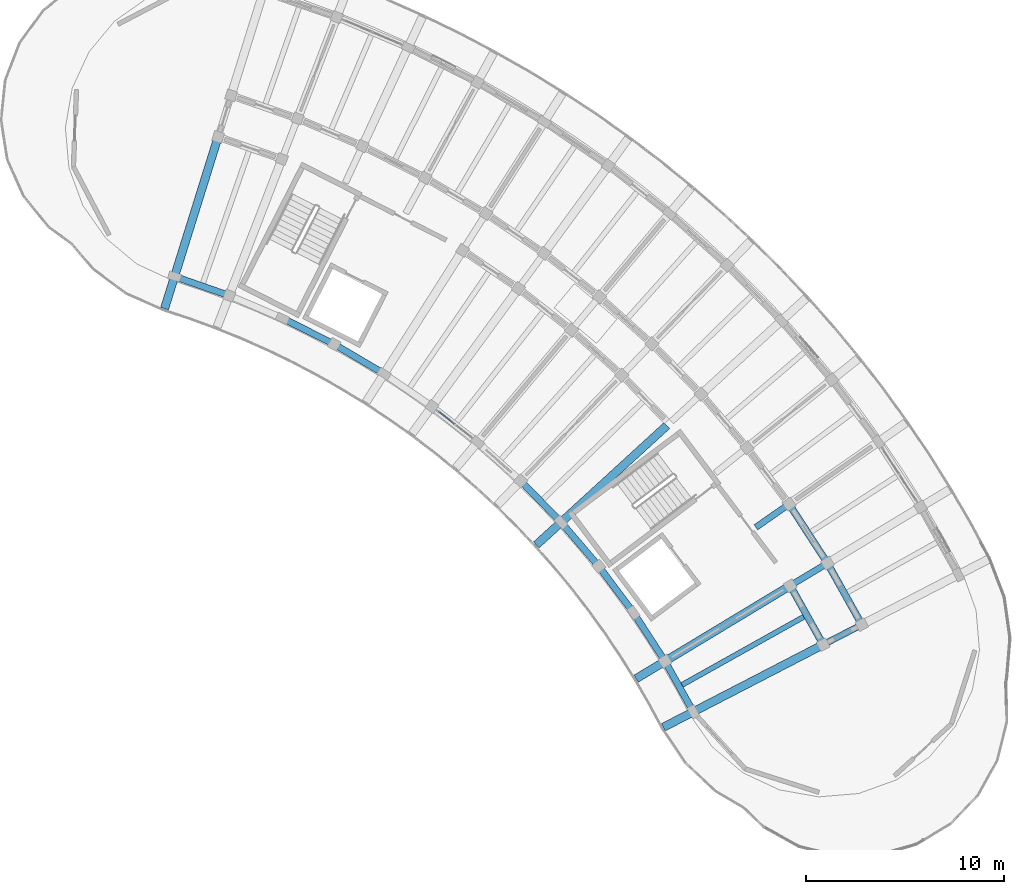
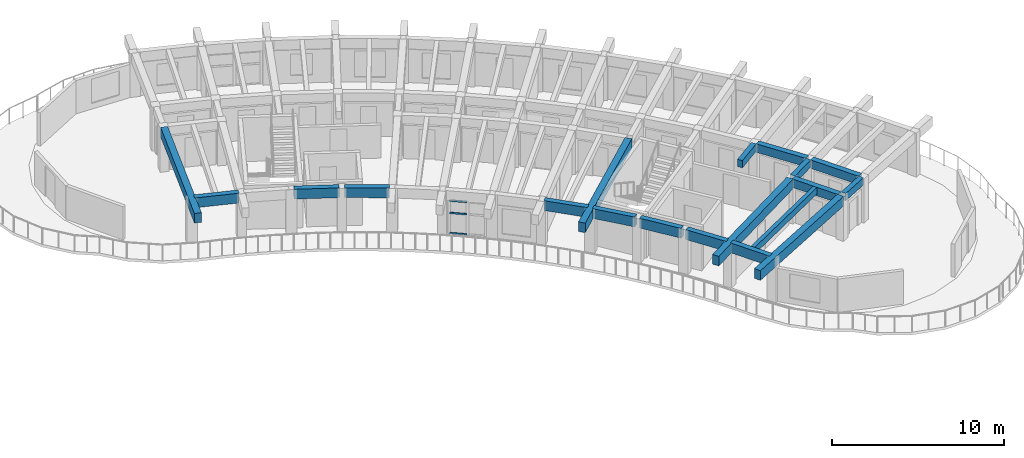
# One storey, part 8 of 36: 19 beams, 3 members, 1 element without a shape of its own.
"""IFC4 building model written with IfcOpenShell, lengths in metres."""

from ifc_helpers import new_model, si_unit, direction, frame, origin, origin_2d, place, context, subcontext, project, spatial, rectangle, hollow_rectangle, extrude, material, material_profile, profile_set, type_object, element, aggregate, save


model = new_model("IFC4")

# Units and contexts
model_context = context("Model", 3, precision=1e-05, world=origin(), true_north=direction((0.0, 1.0)))
body_context = subcontext(model_context, "Body", "Model", "MODEL_VIEW")
ifc_project = project(units=[si_unit("LENGTHUNIT", "METRE"), si_unit("AREAUNIT", "SQUARE_METRE"), si_unit("VOLUMEUNIT", "CUBIC_METRE"), si_unit("PLANEANGLEUNIT", "RADIAN"), si_unit("MASSUNIT", "GRAM", prefix="KILO")], contexts=[model_context])

# Site, building, storey
site_placement = place(None, origin())
site = spatial("IfcSite", under=ifc_project, at=site_placement, CompositionType="ELEMENT")
building_placement = place(site_placement, origin())
building = spatial("IfcBuilding", under=site, at=building_placement, Name="Tanwirah Colonnade Gardens", CompositionType="ELEMENT")
storey_placement = place(building_placement, frame((0.0, 0.0, 39.080078125)))
storey = spatial("IfcBuildingStorey", under=building, at=storey_placement, Name="L11", CompositionType="ELEMENT", Elevation=39.080078125)

# Beams
ifc_material_1 = material(Name="Precast concrete C40/50", Category="concrete")
ifc_material_profile_1 = material_profile(ifc_material_1, rectangle(XDim=0.320068359375, YDim=0.52001953125, at=origin_2d()), Name="PC-BM 320x520")
ifc_profile_set_1 = profile_set([ifc_material_profile_1], Name="Precast concrete C40/50")
beam_type_1 = type_object("IfcBeamType", Name="BM-PC320", PredefinedType="BEAM", material=ifc_profile_set_1)
beam_1_placement = place(storey_placement, frame((167.194091796875, 84.07666015625, 2.85986328125), z_axis=(0.888385730697, 0.459097803844, 0.0), x_axis=(-0.459097803844, 0.888385730697, 0.0)))
element("IfcBeam", 1, at=beam_1_placement, inside=storey, type_object=beam_type_1, Name="Block B L11 Corridor Tie Beam 3", PredefinedType="BEAM", context=body_context, shape_type="SweptSolid", body=[
    extrude(rectangle(XDim=0.320068359375, YDim=0.52001953125, at=origin_2d()), origin(), (0.0, 0.0, 1.0), 1.900146484375),
])
for number, where, z_axis, x_axis, name in (
    (2, (165.520751953125, 87.068359375, 2.85986328125), (0.856174920318, 0.516686080534, 0.0), (-0.516686080534, 0.856174920318, 0.0), "Block B L11 Corridor Tie Beam 4"),
    (3, (163.653564453125, 89.943359375, 2.85986328125), (0.820305001782, 0.571926309983, 0.0), (-0.571926309983, 0.820305001782, 0.0), "Block B L11 Corridor Tie Beam 5"),
):
    element("IfcBeam", number, at=place(storey_placement, frame(where, z_axis=z_axis, x_axis=x_axis)), inside=storey, type_object=beam_type_1, Name=name, PredefinedType="BEAM", context=body_context, shape_type="SweptSolid", body=[
        extrude(rectangle(XDim=0.320068359375, YDim=0.52001953125, at=origin_2d()), origin(), (0.0, 0.0, 1.0), 1.89990234375),
    ])
ifc_material_profile_2 = material_profile(ifc_material_1, rectangle(XDim=0.35009765625, YDim=0.60009765625, at=origin_2d()), Name="PC-BM 350x600")
ifc_profile_set_2 = profile_set([ifc_material_profile_2], Name="Precast concrete C40/50")
beam_type_2 = type_object("IfcBeamType", Name="BM-PC350B", PredefinedType="BEAM", material=ifc_profile_set_2)
beam_2_placement = place(storey_placement, frame((166.98779296875, 84.138671875, 2.81982421875), z_axis=(-0.488200372352, 0.872731571811, 0.0), x_axis=(-0.872731571811, -0.488200372352, 0.0)))
element("IfcBeam", 4, at=beam_2_placement, inside=storey, type_object=beam_type_2, Name="Block B L11 Circumferential Beam 3-R1", PredefinedType="BEAM", context=body_context, shape_type="SweptSolid", body=[
    extrude(rectangle(XDim=0.35009765625, YDim=0.60009765625, at=origin_2d()), origin(), (0.0, 0.0, 1.0), 3.117919921875),
])
for number, where, z_axis, x_axis, name in (
    (5, (168.942138671875, 85.14892578125, 2.81982421875), (-0.488213717102, 0.87272410671, 0.0), (-0.87272410671, -0.488213717102, 0.0), "Block B L11 Circumferential Beam 3-R2"),
    (6, (167.194091796875, 88.25341796875, 2.81982421875), (-0.544627998385, 0.838677735114, 0.0), (-0.838677735114, -0.544627998385, 0.0), "Block B L11 Circumferential Beam 4-R2"),
):
    element("IfcBeam", number, at=place(storey_placement, frame(where, z_axis=z_axis, x_axis=x_axis)), inside=storey, type_object=beam_type_2, Name=name, PredefinedType="BEAM", context=body_context, shape_type="SweptSolid", body=[
        extrude(rectangle(XDim=0.35009765625, YDim=0.60009765625, at=origin_2d()), origin(), (0.0, 0.0, 1.0), 3.262939453125),
    ])
ifc_material_2 = material(Name="Precast concrete C45/55", Category="concrete")
ifc_material_profile_3 = material_profile(ifc_material_2, rectangle(XDim=0.419921875, YDim=0.679931640625, at=origin_2d()), Name="PC-BM 420x680")
ifc_profile_set_3 = profile_set([ifc_material_profile_3], Name="Precast concrete C45/55")
beam_type_3 = type_object("IfcBeamType", Name="BM-PC420", PredefinedType="BEAM", material=ifc_profile_set_3)
beam_3_placement = place(storey_placement, frame((166.927734375, 83.93896484375, 2.780029296875), z_axis=(-0.888345427876, -0.459175784175, 0.0), x_axis=(0.459175784175, -0.888345427876, 0.0)))
element("IfcBeam", 7, at=beam_3_placement, inside=storey, type_object=beam_type_3, Name="Block B L11 Inner Radial Precast Girder 3", PredefinedType="BEAM", context=body_context, shape_type="SweptSolid", body=[
    extrude(rectangle(XDim=0.419921875, YDim=0.679931640625, at=origin_2d()), origin(), (0.0, 0.0, 1.0), 8.949951171875),
])
beam_4_placement = place(storey_placement, frame((165.263916015625, 86.913330078125, 2.780029296875), z_axis=(-0.856168728297, -0.516696340887, 0.0), x_axis=(0.516696340887, -0.856168728297, 0.0)))
element("IfcBeam", 8, at=beam_4_placement, inside=storey, type_object=beam_type_3, Name="Block B L11 Inner Radial Precast Girder 4", PredefinedType="BEAM", context=body_context, shape_type="SweptSolid", body=[
    extrude(rectangle(XDim=0.419921875, YDim=0.679931640625, at=origin_2d()), origin(), (0.0, 0.0, 1.0), 8.9501953125),
])
beam_5_placement = place(storey_placement, frame((159.151123046875, 95.091064453125, 2.780029296875), z_axis=(-0.737937205818, -0.674869380154, 0.0), x_axis=(0.674869380154, -0.737937205818, 0.0)))
element("IfcBeam", 9, at=beam_5_placement, inside=storey, type_object=beam_type_3, Name="Block B L11 Inner Radial Precast Girder 7", PredefinedType="BEAM", context=body_context, shape_type="SweptSolid", body=[
    extrude(rectangle(XDim=0.419921875, YDim=0.679931640625, at=origin_2d()), origin(), (0.0, 0.0, 1.0), 8.949951171875),
])
beam_6_placement = place(storey_placement, frame((136.403076171875, 109.55224609375, 2.780029296875), z_axis=(-0.29792861283, -0.9545881529, 0.0), x_axis=(0.9545881529, -0.29792861283, 0.0)))
element("IfcBeam", 10, at=beam_6_placement, inside=storey, type_object=beam_type_3, Name="Block B L11 Inner Radial Precast Girder 15", PredefinedType="BEAM", context=body_context, shape_type="SweptSolid", body=[
    extrude(rectangle(XDim=0.419921875, YDim=0.679931640625, at=origin_2d()), origin(), (0.0, 0.0, 1.0), 8.9501953125),
])

# Curtain wall, members
ifc_material_3 = material(Name="Bronze-anodised aluminium and solar-control low-E glass", Category="aluminium")
curtain_wall_type = type_object("IfcCurtainWallType", Name="CW-GDN", PredefinedType="NOTDEFINED", material=ifc_material_3)
curtain_wall_placement = place(storey_placement, origin())
curtain_wall = element("IfcCurtainWall", 11, at=curtain_wall_placement, inside=storey, type_object=curtain_wall_type, Name="Curtain Wall CW-B-L11-IN-09", PredefinedType="NOTDEFINED")
ifc_material_4 = material(Name="Bronze-anodised aluminium", Category="aluminium")
ifc_material_profile_4 = material_profile(ifc_material_4, hollow_rectangle(XDim=0.06005859375, YDim=0.1201171875, WallThickness=0.00390625, at=origin_2d()), Name="CW-TRN 60x120x4")
ifc_profile_set_4 = profile_set([ifc_material_profile_4], Name="Bronze-anodised aluminium")
member_type = type_object("IfcMemberType", Name="CWT-60x120", PredefinedType="USERDEFINED", material=ifc_profile_set_4)
member_1_placement = place(storey_placement, frame((148.3955078125, 95.17333984375, 0.030029296875), z_axis=(-0.786768698357, 0.617247936639, 0.0), x_axis=(-0.617247936639, -0.786768698357, 0.0)))
member_1 = element("IfcMember", 12, at=member_1_placement, type_object=member_type, Name="CW-GDN transom 2.1", ObjectType="TRANSOM", PredefinedType="USERDEFINED", context=body_context, shape_type="SweptSolid", body=[
    extrude(hollow_rectangle(XDim=0.06005859375, YDim=0.1201171875, WallThickness=0.00390625, at=origin_2d()), origin(), (0.0, 0.0, 1.0), 1.015380859375),
])
member_2_placement = place(storey_placement, frame((148.3955078125, 95.17333984375, 1.4599609375), z_axis=(-0.786768698357, 0.617247936639, 0.0), x_axis=(-0.617247936639, -0.786768698357, 0.0)))
member_2 = element("IfcMember", 13, at=member_2_placement, type_object=member_type, Name="CW-GDN transom 2.2", ObjectType="TRANSOM", PredefinedType="USERDEFINED", context=body_context, shape_type="SweptSolid", body=[
    extrude(hollow_rectangle(XDim=0.06005859375, YDim=0.1201171875, WallThickness=0.00390625, at=origin_2d()), origin(), (0.0, 0.0, 1.0), 1.015380859375),
])
member_3_placement = place(storey_placement, frame((148.3955078125, 95.17333984375, 2.324951171875), z_axis=(-0.786768698357, 0.617247936639, 0.0), x_axis=(-0.617247936639, -0.786768698357, 0.0)))
member_3 = element("IfcMember", 14, at=member_3_placement, type_object=member_type, Name="CW-GDN transom 2.3", ObjectType="TRANSOM", PredefinedType="USERDEFINED", context=body_context, shape_type="SweptSolid", body=[
    extrude(hollow_rectangle(XDim=0.06005859375, YDim=0.1201171875, WallThickness=0.00390625, at=origin_2d()), origin(), (0.0, 0.0, 1.0), 1.015380859375),
])
aggregate(curtain_wall, [member_1, member_2, member_3])

# Beams
ifc_material_profile_5 = material_profile(ifc_material_1, rectangle(XDim=0.260009765625, YDim=0.4599609375, at=origin_2d()), Name="PC-JST 260x460")
ifc_profile_set_5 = profile_set([ifc_material_profile_5], Name="Precast concrete C40/50")
beam_type_4 = type_object("IfcBeamType", Name="JST-PC260", PredefinedType="JOIST", material=ifc_profile_set_5)
beam_7_placement = place(storey_placement, frame((159.897705078125, 81.958984375, 2.889892578125), z_axis=(0.872726875563, 0.488208767506, 0.0), x_axis=(-0.488208767506, 0.872726875563, 0.0)))
element("IfcBeam", 15, at=beam_7_placement, inside=storey, type_object=beam_type_4, Name="Block B L11 Inner Precast Floor Joist 3", PredefinedType="JOIST", context=body_context, shape_type="SweptSolid", body=[
    extrude(rectangle(XDim=0.260009765625, YDim=0.4599609375, at=origin_2d()), origin(), (0.0, 0.0, 1.0), 7.16015625),
])
ifc_material_profile_6 = material_profile(ifc_material_1, rectangle(XDim=0.3349609375, YDim=0.695068359375, at=origin_2d()), Name="PC-SP 335x695")
ifc_profile_set_6 = profile_set([ifc_material_profile_6], Name="Precast concrete C40/50")
beam_type_5 = type_object("IfcBeamType", Name="SP-PC300", PredefinedType="SPANDREL", material=ifc_profile_set_6)
beam_8_placement = place(storey_placement, frame((160.413818359375, 80.740966796875, 2.7724609375), z_axis=(-0.488170837957, 0.872748092503, 0.0), x_axis=(-0.872748092503, -0.488170837957, 0.0)))
element("IfcBeam", 16, at=beam_8_placement, inside=storey, type_object=beam_type_5, Name="Block B L11 Circumferential Beam 3-R0", PredefinedType="SPANDREL", context=body_context, shape_type="SweptSolid", body=[
    extrude(rectangle(XDim=0.3349609375, YDim=0.695068359375, at=origin_2d()), origin(), (0.0, 0.0, 1.0), 2.630126953125),
])
for number, where, z_axis, x_axis, name in (
    (17, (158.974853515625, 83.29296875, 2.7724609375), (-0.544570677829, 0.838714955661, 0.0), (-0.838714955661, -0.544570677829, 0.0), "Block B L11 Circumferential Beam 4-R0"),
    (18, (157.370849609375, 85.744873046875, 2.7724609375), (-0.598662613551, 0.80100129534, 0.0), (-0.80100129534, -0.598662613551, 0.0), "Block B L11 Circumferential Beam 5-R0"),
):
    element("IfcBeam", number, at=place(storey_placement, frame(where, z_axis=z_axis, x_axis=x_axis)), inside=storey, type_object=beam_type_5, Name=name, PredefinedType="SPANDREL", context=body_context, shape_type="SweptSolid", body=[
        extrude(rectangle(XDim=0.3349609375, YDim=0.695068359375, at=origin_2d()), origin(), (0.0, 0.0, 1.0), 2.63037109375),
    ])
for number, where, z_axis, x_axis, name in (
    (19, (155.60888671875, 88.0859375, 2.7724609375), (-0.650217875778, 0.759747796323, 0.0), (-0.759747796323, -0.650217875778, 0.0), "Block B L11 Circumferential Beam 6-R0"),
    (20, (153.6962890625, 90.305419921875, 2.7724609375), (-0.698844462704, 0.715273665772, 0.0), (-0.715273665772, -0.698844462704, 0.0), "Block B L11 Circumferential Beam 7-R0"),
):
    element("IfcBeam", number, at=place(storey_placement, frame(where, z_axis=z_axis, x_axis=x_axis)), inside=storey, type_object=beam_type_5, Name=name, PredefinedType="SPANDREL", context=body_context, shape_type="SweptSolid", body=[
        extrude(rectangle(XDim=0.3349609375, YDim=0.695068359375, at=origin_2d()), origin(), (0.0, 0.0, 1.0), 2.630126953125),
    ])
for number, where, z_axis, x_axis, name in (
    (21, (144.717529296875, 97.7880859375, 2.7724609375), (-0.861148181788, 0.508354019363, 0.0), (-0.508354019363, -0.861148181788, 0.0), "Block B L11 Circumferential Beam 11-R0"),
    (22, (142.189453125, 99.26904296875, 2.7724609375), (-0.892769015158, 0.450514689632, 0.0), (-0.450514689632, -0.892769015158, 0.0), "Block B L11 Circumferential Beam 12-R0"),
    (23, (136.8681640625, 101.716064453125, 2.7724609375), (-0.944249847334, 0.32922974624, 0.0), (-0.32922974624, -0.944249847334, 0.0), "Block B L11 Circumferential Beam 14-R0"),
):
    element("IfcBeam", number, at=place(storey_placement, frame(where, z_axis=z_axis, x_axis=x_axis)), inside=storey, type_object=beam_type_5, Name=name, PredefinedType="SPANDREL", context=body_context, shape_type="SweptSolid", body=[
        extrude(rectangle(XDim=0.3349609375, YDim=0.695068359375, at=origin_2d()), origin(), (0.0, 0.0, 1.0), 2.63037109375),
    ])

save(model, "model.ifc")
